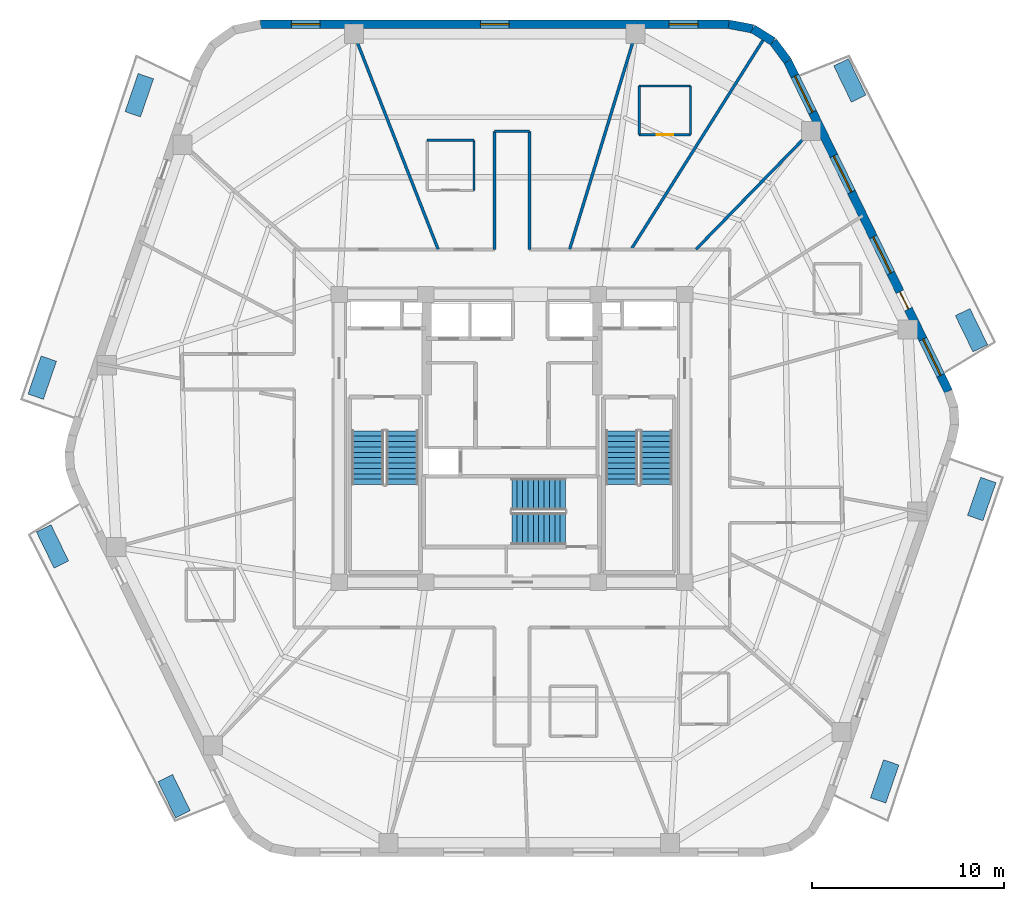
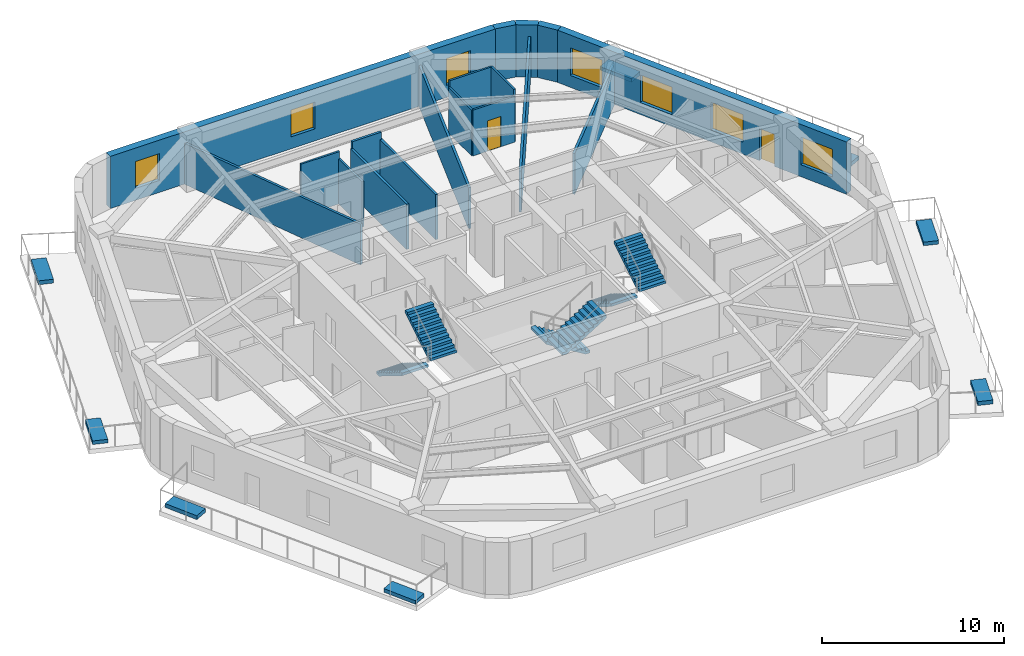
# One storey, part 6 of 9: 18 walls, 8 discrete accessories, 7 windows, 6 stair flights, 2 doors, 9 openings, 3 elements without a shape of their own.
"""IFC4 building model written with IfcOpenShell, lengths in metres."""

import ifcopenshell
import ifcopenshell.guid

model = None  # the IFC model being written
_history = None  # IfcOwnerHistory: only IFC2X3 demands one
_inside = {}  # id of a spatial element -> (the spatial element, [elements in it])
_under = {}  # id of a project, library or spatial element -> (it, [spatial elements below it])
_declared = {}  # id of a project -> (the project, [libraries it declares])
_typed = {}  # id of a type object -> (the type object, [elements of that type])
_made_of = {}  # id of a material, layer set ... -> (it, [elements and type objects made of it])


def new_model(schema):
    """Start an empty IFC model of exactly this schema.

    Asked for "IFC4X3", IfcOpenShell would pick the latest addendum, in which some entities
    have other attributes; the version numbers below select the first issue.
    IFC2X3 requires an IfcOwnerHistory on every rooted entity: one is made here for all.
    """
    global model, _history
    if schema == "IFC4X3":
        model = ifcopenshell.file(schema_version=(4, 3, 0, 0))
    else:
        model = ifcopenshell.file(schema=schema)
    _inside.clear()
    _under.clear()
    _declared.clear()
    _typed.clear()
    _made_of.clear()
    _history = None
    if model.schema == "IFC2X3":
        org = make("IfcOrganization", Name="unknown")
        user = make(
            "IfcPersonAndOrganization",
            ThePerson=make("IfcPerson", FamilyName="unknown"),
            TheOrganization=org,
        )
        app = make(
            "IfcApplication",
            ApplicationDeveloper=org,
            Version="unknown",
            ApplicationFullName="unknown",
            ApplicationIdentifier="unknown",
        )
        _history = make(
            "IfcOwnerHistory",
            OwningUser=user,
            OwningApplication=app,
            ChangeAction="ADDED",
            CreationDate=0,
        )
    return model


def make(cls, **values):
    """One entity of the class cls with the attributes given. An attribute that is None is left unset."""
    return model.create_entity(
        cls, **{name: value for name, value in values.items() if value is not None}
    )


def rooted(cls, **values):
    """An entity with a GlobalId (a new one), such as an element, a storey or a relation."""
    return make(cls, GlobalId=ifcopenshell.guid.new(), OwnerHistory=_history, **values)


def si_unit(unit_type, name, prefix=None):
    """IfcSIUnit, for example si_unit("LENGTHUNIT", "METRE", prefix="MILLI")."""
    return make("IfcSIUnit", UnitType=unit_type, Prefix=prefix, Name=name)


def assignment(units):
    """IfcUnitAssignment: the units of a project."""
    return None if units is None else make("IfcUnitAssignment", Units=units)


def point(xyz):
    """IfcCartesianPoint."""
    return None if xyz is None else make("IfcCartesianPoint", Coordinates=xyz)


def direction(xyz):
    """IfcDirection."""
    return None if xyz is None else make("IfcDirection", DirectionRatios=xyz)


def frame(location, z_axis=None, x_axis=None):
    """IfcAxis2Placement3D, a coordinate frame: its origin and axes. An axis left out is left unset."""
    return make(
        "IfcAxis2Placement3D",
        Location=point(location),
        Axis=direction(z_axis),
        RefDirection=direction(x_axis),
    )


def frame_2d(location, x_axis=None):
    """IfcAxis2Placement2D, a coordinate frame in the plane: its origin and x axis."""
    return make(
        "IfcAxis2Placement2D", Location=point(location), RefDirection=direction(x_axis)
    )


def origin():
    """The frame at (0, 0, 0) with its axes left unset."""
    return frame((0.0, 0.0, 0.0))


def origin_2d():
    """The frame at (0, 0) in the plane with its x axis left unset."""
    return frame_2d((0.0, 0.0))


def place(relative_to, where):
    """IfcLocalPlacement: puts the frame where relative to a parent placement (None: the world)."""
    return make(
        "IfcLocalPlacement", PlacementRelTo=relative_to, RelativePlacement=where
    )


def context(
    kind, dimensions, precision=None, world=None, true_north=None, identifier=None
):
    """IfcGeometricRepresentationContext, for example the 3D "Model" context."""
    return make(
        "IfcGeometricRepresentationContext",
        ContextIdentifier=identifier,
        ContextType=kind,
        CoordinateSpaceDimension=dimensions,
        Precision=precision,
        WorldCoordinateSystem=world,
        TrueNorth=true_north,
    )


def subcontext(parent, identifier, kind, view, scale=None):
    """IfcGeometricRepresentationSubContext, for example "Body" below "Model"."""
    return make(
        "IfcGeometricRepresentationSubContext",
        ContextIdentifier=identifier,
        ContextType=kind,
        ParentContext=parent,
        TargetScale=scale,
        TargetView=view,
    )


def project(units=None, contexts=None):
    """IfcProject with its units and contexts."""
    return rooted(
        "IfcProject",
        Name="project",
        RepresentationContexts=contexts,
        UnitsInContext=assignment(units),
    )


def spatial(cls, under=None, at=None, **own):
    """A site, building, storey or space (cls), placed at a placement, below another one or the project."""
    s = rooted(cls, ObjectPlacement=at, **own)
    if under is not None:
        _under.setdefault(under.id(), (under, []))[1].append(s)
    return s


def polyline(points):
    """IfcPolyline through the points."""
    return make("IfcPolyline", Points=[point(p) for p in points])


def profile(cls, at=None, kind="AREA", **sizes):
    """A parametric profile (cls). Its sizes go by their IFC names, for example OverallWidth=200.0."""
    return make(cls, ProfileType=kind, Position=at, **sizes)


def rectangle(**sizes):
    """IfcRectangleProfileDef."""
    return profile("IfcRectangleProfileDef", **sizes)


def outline(outer, holes=None, kind="AREA"):
    """IfcArbitraryClosedProfileDef: a profile drawn as a closed curve; with holes, ...WithVoids."""
    if holes is None:
        return make("IfcArbitraryClosedProfileDef", ProfileType=kind, OuterCurve=outer)
    return make(
        "IfcArbitraryProfileDefWithVoids",
        ProfileType=kind,
        OuterCurve=outer,
        InnerCurves=holes,
    )


def extrude(swept, where, along, depth):
    """IfcExtrudedAreaSolid: the profile swept, set in the frame where, extruded along a direction by depth."""
    return make(
        "IfcExtrudedAreaSolid",
        SweptArea=swept,
        Position=where,
        ExtrudedDirection=direction(along),
        Depth=depth,
    )


def shape(context_of_items, identifier, shape_type, items):
    """IfcShapeRepresentation: the items that make up one representation, for example the "Body"."""
    return make(
        "IfcShapeRepresentation",
        ContextOfItems=context_of_items,
        RepresentationIdentifier=identifier,
        RepresentationType=shape_type,
        Items=items,
    )


def material(Name=None, Category=None):
    """IfcMaterial."""
    return make("IfcMaterial", Name=Name, Category=Category)


def layer(
    of_material, thickness, ventilated=None, Name=None, Category=None, Priority=None
):
    """IfcMaterialLayer: one layer of a wall or slab, of a material (None: an air gap)."""
    return make(
        "IfcMaterialLayer",
        Material=of_material,
        LayerThickness=thickness,
        IsVentilated=ventilated,
        Name=Name,
        Category=Category,
        Priority=Priority,
    )


def layer_set(layers, Name=None):
    """IfcMaterialLayerSet."""
    return make("IfcMaterialLayerSet", MaterialLayers=layers, LayerSetName=Name)


def made_of(thing, what):
    """Note that an element or type object is made of a material, layer set ...; save() writes the relation."""
    if what is not None:
        _made_of.setdefault(what.id(), (what, []))[1].append(thing)
    return thing


def type_object(cls, material=None, **own):
    """A type object (cls), such as IfcWallType, which elements share."""
    return made_of(rooted(cls, **own), material)


def element(
    cls,
    number,
    at=None,
    inside=None,
    cuts=None,
    type_object=None,
    material=None,
    context=None,
    identifier="Body",
    shape_type=None,
    held_by="IfcProductDefinitionShape",
    body=None,
    shapes=None,
    **own,
):
    """One element of the class cls, such as IfcWall. Its Tag is "e" and its number.

    at: its placement. inside: the storey or other place that contains it. cuts: it is an
    opening in that element (IfcRelVoidsElement). A single representation is given by context,
    identifier, shape_type and body (its items); several are given by shapes. held_by: the class
    of the entity that holds the representations. save() writes the other relations.
    """
    e = rooted(cls, Tag="e%d" % number, ObjectPlacement=at, **own)
    if body is not None:
        shapes = [shape(context, identifier, shape_type, body)]
    if shapes is not None:
        e.Representation = make(held_by, Representations=shapes)
    if inside is not None:
        _inside.setdefault(inside.id(), (inside, []))[1].append(e)
    if cuts is not None:
        rooted(
            "IfcRelVoidsElement", RelatingBuildingElement=cuts, RelatedOpeningElement=e
        )
    if type_object is not None:
        _typed.setdefault(type_object.id(), (type_object, []))[1].append(e)
    return made_of(e, material)


def fill(opening, filler):
    """IfcRelFillsElement: the door or window that sits in an opening."""
    return rooted(
        "IfcRelFillsElement",
        RelatingOpeningElement=opening,
        RelatedBuildingElement=filler,
    )


def aggregate(whole, parts):
    """IfcRelAggregates: a whole, such as a stair, and the parts it consists of."""
    return rooted("IfcRelAggregates", RelatingObject=whole, RelatedObjects=parts)


def save(model, path):
    """Write the relations noted so far, then the file.

    IfcRelAggregates (storeys below a building ...), IfcRelContainedInSpatialStructure (elements
    in a storey), IfcRelDefinesByType, IfcRelAssociatesMaterial and IfcRelDeclares: one each for
    every whole, place, type object, material and project.
    """
    for whole, parts in _under.values():
        aggregate(whole, parts)
    for where, things in _inside.values():
        rooted(
            "IfcRelContainedInSpatialStructure",
            RelatedElements=things,
            RelatingStructure=where,
        )
    for kind, things in _typed.values():
        rooted("IfcRelDefinesByType", RelatedObjects=things, RelatingType=kind)
    for what, things in _made_of.values():
        rooted("IfcRelAssociatesMaterial", RelatedObjects=things, RelatingMaterial=what)
    for by, libraries in _declared.values():
        rooted("IfcRelDeclares", RelatingContext=by, RelatedDefinitions=libraries)
    model.write(path)


model = new_model("IFC4")

# Units and contexts
model_context = context("Model", 3, precision=1e-05, world=origin(), true_north=direction((0.0, 1.0)))
body_context = subcontext(model_context, "Body", "Model", "MODEL_VIEW")
ifc_project = project(units=[si_unit("LENGTHUNIT", "METRE"), si_unit("AREAUNIT", "SQUARE_METRE"), si_unit("VOLUMEUNIT", "CUBIC_METRE"), si_unit("PLANEANGLEUNIT", "RADIAN"), si_unit("MASSUNIT", "GRAM", prefix="KILO")], contexts=[model_context])

# Site, building, storey
site_placement = place(None, origin())
site = spatial("IfcSite", under=ifc_project, at=site_placement, CompositionType="ELEMENT")
building_placement = place(site_placement, origin())
building = spatial("IfcBuilding", under=site, at=building_placement, Name="Kilnhurst Terrace Hotel", CompositionType="ELEMENT")
storey_placement = place(building_placement, frame((0.0, 0.0, 233.10009765625)))
storey = spatial("IfcBuildingStorey", under=building, at=storey_placement, Name="L58", CompositionType="ELEMENT", Elevation=233.10009765625)

# Walls
ifc_material_1 = material(Name="Precast concrete C40/50", Category="concrete")
ifc_layer_1 = layer(ifc_material_1, 0.449951171875, Name="Precast concrete C40/50")
ifc_layer_set_1 = layer_set([ifc_layer_1], Name="Precast concrete C40/50")
wall_type_1 = type_object("IfcWallType", Name="WL-BRK-450", PredefinedType="SOLIDWALL", material=ifc_layer_set_1)
wall_1_placement = place(storey_placement, frame((14.3623046875, 19.658447265625, 0.0), z_axis=(0.0, 0.0, 1.0), x_axis=(-0.596642462792, 0.80250717853, 0.0)))
element("IfcWall", 1, at=wall_1_placement, inside=storey, type_object=wall_type_1, Name="L58 Rounded Corner Brick Wall C4.1", PredefinedType="SOLIDWALL", context=body_context, shape_type="SweptSolid", body=[
    extrude(rectangle(XDim=1.27001953125, YDim=0.449951171875, at=frame_2d((0.635009765625, 0.0))), origin(), (0.0, 0.0, 1.0), 3.5),
])
wall_2_placement = place(storey_placement, frame((13.6044921875, 20.677734375, 0.0), z_axis=(0.0, 0.0, 1.0), x_axis=(-0.847910404124, 0.53013955387, 0.0)))
element("IfcWall", 2, at=wall_2_placement, inside=storey, type_object=wall_type_1, Name="L58 Rounded Corner Brick Wall C4.2", PredefinedType="SOLIDWALL", context=body_context, shape_type="SweptSolid", body=[
    extrude(rectangle(XDim=1.24853515625, YDim=0.449951171875, at=frame_2d((0.624267578125, 0.0))), origin(), (0.0, 0.0, 1.0), 3.5),
])
wall_3_placement = place(storey_placement, frame((12.5458984375, 21.339599609375, 0.0), z_axis=(0.0, 0.0, 1.0), x_axis=(-0.982686750835, 0.18527479519, 0.0)))
element("IfcWall", 3, at=wall_3_placement, inside=storey, type_object=wall_type_1, Name="L58 Rounded Corner Brick Wall C4.3", PredefinedType="SOLIDWALL", context=body_context, shape_type="SweptSolid", body=[
    extrude(rectangle(XDim=1.270263671875, YDim=0.449951171875, at=frame_2d((0.63525390625, 0.0))), origin(), (0.0, 0.0, 1.0), 3.5),
])

# Wall, openings, door, windows
wall_4_placement = place(storey_placement, frame((22.73974609375, 2.4521484375, 0.0), z_axis=(0.0, 0.0, 1.0), x_axis=(-0.437753424814, 0.899095066755, 0.0)))
wall_4 = element("IfcWall", 4, at=wall_4_placement, inside=storey, type_object=wall_type_1, Name="L58 Exterior Brick Facade Wall F3", PredefinedType="SOLIDWALL", context=body_context, shape_type="SweptSolid", body=[
    extrude(rectangle(XDim=19.137451171875, YDim=0.449951171875, at=frame_2d((9.56884765625, 0.0))), origin(), (0.0, 0.0, 1.0), 3.5),
])
opening_1_placement = place(wall_4_placement, frame((4.762939453125, 0.0, 0.0)))
opening_1 = element("IfcOpeningElement", 5, at=opening_1_placement, cuts=wall_4, Name="Opening BD-1000", PredefinedType="OPENING", context=body_context, shape_type="SweptSolid", body=[
    extrude(rectangle(XDim=1.0, YDim=2.14990234375, at=frame_2d((0.5, 1.074951171875))), frame((0.0, 0.23486328125, 0.0), z_axis=(0.0, -1.0, 0.0), x_axis=(1.0, 0.0, 0.0)), (0.0, 0.0, 1.0), 0.469970703125),
])
opening_2_placement = place(wall_4_placement, frame((6.85107421875, 0.0, 0.800048828125)))
opening_2 = element("IfcOpeningElement", 6, at=opening_2_placement, cuts=wall_4, Name="Opening W-04", PredefinedType="OPENING", context=body_context, shape_type="SweptSolid", body=[
    extrude(rectangle(XDim=2.10009765625, YDim=1.85009765625, at=frame_2d((1.050048828125, 0.925048828125))), frame((0.0, 0.23486328125, 0.0), z_axis=(0.0, -1.0, 0.0), x_axis=(1.0, 0.0, 0.0)), (0.0, 0.0, 1.0), 0.469970703125),
])
opening_3_placement = place(wall_4_placement, frame((11.544921875, 0.0, 0.800048828125)))
opening_3 = element("IfcOpeningElement", 7, at=opening_3_placement, cuts=wall_4, Name="Opening W-04", PredefinedType="OPENING", context=body_context, shape_type="SweptSolid", body=[
    extrude(rectangle(XDim=2.10009765625, YDim=1.85009765625, at=frame_2d((1.050048828125, 0.925048828125))), frame((0.0, 0.23486328125, 0.0), z_axis=(0.0, -1.0, 0.0), x_axis=(1.0, 0.0, 0.0)), (0.0, 0.0, 1.0), 0.469970703125),
])
opening_4_placement = place(wall_4_placement, frame((16.173095703125, 0.0, 0.800048828125)))
opening_4 = element("IfcOpeningElement", 8, at=opening_4_placement, cuts=wall_4, Name="Opening W-04", PredefinedType="OPENING", context=body_context, shape_type="SweptSolid", body=[
    extrude(rectangle(XDim=2.10009765625, YDim=1.85009765625, at=frame_2d((1.050048828125, 0.925048828125))), frame((0.0, 0.23486328125, 0.0), z_axis=(0.0, -1.0, 0.0), x_axis=(1.0, 0.0, 0.0)), (0.0, 0.0, 1.0), 0.469970703125),
])
opening_5_placement = place(wall_4_placement, frame((0.916015625, 0.0, 0.800048828125)))
opening_5 = element("IfcOpeningElement", 9, at=opening_5_placement, cuts=wall_4, Name="Opening W-04", PredefinedType="OPENING", context=body_context, shape_type="SweptSolid", body=[
    extrude(rectangle(XDim=2.10009765625, YDim=1.85009765625, at=frame_2d((1.050048828125, 0.925048828125))), frame((0.0, 0.23486328125, 0.0), z_axis=(0.0, -1.0, 0.0), x_axis=(1.0, 0.0, 0.0)), (0.0, 0.0, 1.0), 0.469970703125),
])
ifc_material_2 = material(Name="Thermally Broken Bronze Aluminium Alloy 6063-T6 and Laminated Glass", Category="aluminium")
door_type_1 = type_object("IfcDoorType", Name="DR-EXT-BAL-1000", OperationType="NOTDEFINED", PredefinedType="DOOR", material=ifc_material_2)
door_1_placement = place(opening_1_placement, origin())
door_1 = element("IfcDoor", 10, at=door_1_placement, inside=storey, type_object=door_type_1, Name="L58 Planted Balcony Door BAL-L1B", OperationType="SINGLE_SWING_LEFT", OverallHeight=2.14990234375, OverallWidth=1.0, PredefinedType="DOOR", context=body_context, shape_type="SweptSolid", body=[
    extrude(rectangle(XDim=1.0, YDim=2.14990234375, at=frame_2d((0.5, 1.074951171875))), frame((0.0, 0.02490234375, 0.0), z_axis=(0.0, -1.0, 0.0), x_axis=(1.0, 0.0, 0.0)), (0.0, 0.0, 1.0), 0.050048828125),
])
fill(opening_1, door_1)
ifc_material_3 = material(Name="Thermally Broken Bronze Aluminium Alloy 6063-T6 and Low-E Glass", Category="aluminium")
window_type_1 = type_object("IfcWindowType", Name="WIN-2100X1850", PartitioningType="SINGLE_PANEL", PredefinedType="WINDOW", material=ifc_material_3)
window_1_placement = place(opening_2_placement, origin())
window_1 = element("IfcWindow", 11, at=window_1_placement, inside=storey, type_object=window_type_1, Name="L58 Deep-Set Masonry Window F3.1", OverallHeight=1.85009765625, OverallWidth=2.10009765625, PartitioningType="SINGLE_PANEL", PredefinedType="WINDOW", context=body_context, shape_type="SweptSolid", body=[
    extrude(rectangle(XDim=2.10009765625, YDim=1.85009765625, at=frame_2d((1.050048828125, 0.925048828125))), frame((0.0, 0.030029296875, 0.0), z_axis=(0.0, -1.0, 0.0), x_axis=(1.0, 0.0, 0.0)), (0.0, 0.0, 1.0), 0.06005859375),
])
fill(opening_2, window_1)
window_2_placement = place(opening_3_placement, origin())
window_2 = element("IfcWindow", 12, at=window_2_placement, inside=storey, type_object=window_type_1, Name="L58 Deep-Set Masonry Window F3.2", OverallHeight=1.85009765625, OverallWidth=2.10009765625, PartitioningType="SINGLE_PANEL", PredefinedType="WINDOW", context=body_context, shape_type="SweptSolid", body=[
    extrude(rectangle(XDim=2.10009765625, YDim=1.85009765625, at=frame_2d((1.050048828125, 0.925048828125))), frame((0.0, 0.030029296875, 0.0), z_axis=(0.0, -1.0, 0.0), x_axis=(1.0, 0.0, 0.0)), (0.0, 0.0, 1.0), 0.06005859375),
])
fill(opening_3, window_2)
window_3_placement = place(opening_4_placement, origin())
window_3 = element("IfcWindow", 13, at=window_3_placement, inside=storey, type_object=window_type_1, Name="L58 Deep-Set Masonry Window F3.3", OverallHeight=1.85009765625, OverallWidth=2.10009765625, PartitioningType="SINGLE_PANEL", PredefinedType="WINDOW", context=body_context, shape_type="SweptSolid", body=[
    extrude(rectangle(XDim=2.10009765625, YDim=1.85009765625, at=frame_2d((1.050048828125, 0.925048828125))), frame((0.0, 0.030029296875, 0.0), z_axis=(0.0, -1.0, 0.0), x_axis=(1.0, 0.0, 0.0)), (0.0, 0.0, 1.0), 0.06005859375),
])
fill(opening_4, window_3)
window_4_placement = place(opening_5_placement, origin())
window_4 = element("IfcWindow", 14, at=window_4_placement, inside=storey, type_object=window_type_1, Name="L58 Deep-Set Masonry Window F3.4", OverallHeight=1.85009765625, OverallWidth=2.10009765625, PartitioningType="SINGLE_PANEL", PredefinedType="WINDOW", context=body_context, shape_type="SweptSolid", body=[
    extrude(rectangle(XDim=2.10009765625, YDim=1.85009765625, at=frame_2d((1.050048828125, 0.925048828125))), frame((0.0, 0.030029296875, 0.0), z_axis=(0.0, -1.0, 0.0), x_axis=(1.0, 0.0, 0.0)), (0.0, 0.0, 1.0), 0.06005859375),
])
fill(opening_5, window_4)

# Wall, openings, windows
wall_5_placement = place(storey_placement, frame((11.297607421875, 21.574951171875, 0.0), z_axis=(0.0, 0.0, 1.0), x_axis=(-1.0, 0.0, 0.0)))
wall_5 = element("IfcWall", 15, at=wall_5_placement, inside=storey, type_object=wall_type_1, Name="L58 Exterior Brick Facade Wall F4", PredefinedType="SOLIDWALL", context=body_context, shape_type="SweptSolid", body=[
    extrude(rectangle(XDim=24.399169921875, YDim=0.449951171875, at=frame_2d((12.19970703125, 0.0))), origin(), (0.0, 0.0, 1.0), 3.5),
])
opening_6_placement = place(wall_5_placement, frame((1.60400390625, 0.0, 0.800048828125)))
opening_6 = element("IfcOpeningElement", 16, at=opening_6_placement, cuts=wall_5, Name="Opening W-02", PredefinedType="OPENING", context=body_context, shape_type="SweptSolid", body=[
    extrude(rectangle(XDim=1.5, YDim=1.800048828125, at=frame_2d((0.75, 0.89990234375))), frame((0.0, 0.23486328125, 0.0), z_axis=(0.0, -1.0, 0.0), x_axis=(1.0, 0.0, 0.0)), (0.0, 0.0, 1.0), 0.469970703125),
])
opening_7_placement = place(wall_5_placement, frame((11.450927734375, 0.0, 0.800048828125)))
opening_7 = element("IfcOpeningElement", 17, at=opening_7_placement, cuts=wall_5, Name="Opening W-02", PredefinedType="OPENING", context=body_context, shape_type="SweptSolid", body=[
    extrude(rectangle(XDim=1.5, YDim=1.800048828125, at=frame_2d((0.75, 0.89990234375))), frame((0.0, 0.23486328125, 0.0), z_axis=(0.0, -1.0, 0.0), x_axis=(1.0, 0.0, 0.0)), (0.0, 0.0, 1.0), 0.469970703125),
])
opening_8_placement = place(wall_5_placement, frame((21.2958984375, 0.0, 0.800048828125)))
opening_8 = element("IfcOpeningElement", 18, at=opening_8_placement, cuts=wall_5, Name="Opening W-02", PredefinedType="OPENING", context=body_context, shape_type="SweptSolid", body=[
    extrude(rectangle(XDim=1.5, YDim=1.800048828125, at=frame_2d((0.75, 0.89990234375))), frame((0.0, 0.23486328125, 0.0), z_axis=(0.0, -1.0, 0.0), x_axis=(1.0, 0.0, 0.0)), (0.0, 0.0, 1.0), 0.469970703125),
])
window_type_2 = type_object("IfcWindowType", Name="WIN-1500X1800", PartitioningType="SINGLE_PANEL", PredefinedType="WINDOW", material=ifc_material_3)
window_5_placement = place(opening_6_placement, origin())
window_5 = element("IfcWindow", 19, at=window_5_placement, inside=storey, type_object=window_type_2, Name="L58 Deep-Set Masonry Window F4.1", OverallHeight=1.800048828125, OverallWidth=1.5, PartitioningType="SINGLE_PANEL", PredefinedType="WINDOW", context=body_context, shape_type="SweptSolid", body=[
    extrude(rectangle(XDim=1.5, YDim=1.800048828125, at=frame_2d((0.75, 0.89990234375))), frame((0.0, 0.030029296875, 0.0), z_axis=(0.0, -1.0, 0.0), x_axis=(1.0, 0.0, 0.0)), (0.0, 0.0, 1.0), 0.06005859375),
])
fill(opening_6, window_5)
window_6_placement = place(opening_7_placement, origin())
window_6 = element("IfcWindow", 20, at=window_6_placement, inside=storey, type_object=window_type_2, Name="L58 Deep-Set Masonry Window F4.2", OverallHeight=1.800048828125, OverallWidth=1.5, PartitioningType="SINGLE_PANEL", PredefinedType="WINDOW", context=body_context, shape_type="SweptSolid", body=[
    extrude(rectangle(XDim=1.5, YDim=1.800048828125, at=frame_2d((0.75, 0.89990234375))), frame((0.0, 0.030029296875, 0.0), z_axis=(0.0, -1.0, 0.0), x_axis=(1.0, 0.0, 0.0)), (0.0, 0.0, 1.0), 0.06005859375),
])
fill(opening_7, window_6)
window_7_placement = place(opening_8_placement, origin())
window_7 = element("IfcWindow", 21, at=window_7_placement, inside=storey, type_object=window_type_2, Name="L58 Deep-Set Masonry Window F4.3", OverallHeight=1.800048828125, OverallWidth=1.5, PartitioningType="SINGLE_PANEL", PredefinedType="WINDOW", context=body_context, shape_type="SweptSolid", body=[
    extrude(rectangle(XDim=1.5, YDim=1.800048828125, at=frame_2d((0.75, 0.89990234375))), frame((0.0, 0.030029296875, 0.0), z_axis=(0.0, -1.0, 0.0), x_axis=(1.0, 0.0, 0.0)), (0.0, 0.0, 1.0), 0.06005859375),
])
fill(opening_8, window_7)

# Walls
ifc_material_4 = material(Name="Acoustic Double-Gypsum Corridor Partition Assembly")
ifc_layer_2 = layer(ifc_material_4, 0.14990234375, Name="Acoustic Double-Gypsum Corridor Partition Assembly")
ifc_layer_set_2 = layer_set([ifc_layer_2], Name="Acoustic Double-Gypsum Corridor Partition Assembly")
wall_type_2 = type_object("IfcWallType", Name="WL-COR-150", PredefinedType="PARTITIONING", material=ifc_layer_set_2)
wall_6_placement = place(storey_placement, frame((-0.919921875, 9.85009765625, 0.0), z_axis=(0.0, 0.0, 1.0), x_axis=(0.0, 1.0, 0.0)))
element("IfcWall", 22, at=wall_6_placement, inside=storey, type_object=wall_type_2, Name="L58 Interior Wall WL-L58-COR-07", PredefinedType="PARTITIONING", context=body_context, shape_type="SweptSolid", body=[
    extrude(rectangle(XDim=6.14990234375, YDim=0.14990234375, at=frame_2d((3.074951171875, 0.0))), origin(), (0.0, 0.0, 1.0), 3.0263671875),
])
wall_7_placement = place(storey_placement, frame((-0.919921875, 16.0, 0.0), z_axis=(0.0, 0.0, 1.0), x_axis=(1.0, 0.0, 0.0)))
element("IfcWall", 23, at=wall_7_placement, inside=storey, type_object=wall_type_2, Name="L58 Interior Wall WL-L58-COR-08", PredefinedType="PARTITIONING", context=body_context, shape_type="SweptSolid", body=[
    extrude(rectangle(XDim=1.83984375, YDim=0.14990234375, at=frame_2d((0.919921875, 0.0))), origin(), (0.0, 0.0, 1.0), 3.5),
])
wall_8_placement = place(storey_placement, frame((0.919921875, 16.0, 0.0), z_axis=(0.0, 0.0, 1.0), x_axis=(0.0, -1.0, 0.0)))
element("IfcWall", 24, at=wall_8_placement, inside=storey, type_object=wall_type_2, Name="L58 Interior Wall WL-L58-COR-09", PredefinedType="PARTITIONING", context=body_context, shape_type="SweptSolid", body=[
    extrude(rectangle(XDim=6.14990234375, YDim=0.14990234375, at=frame_2d((3.074951171875, 0.0))), origin(), (0.0, 0.0, 1.0), 3.0263671875),
])
ifc_material_5 = material(Name="STC-58 Acoustic Twin-Frame Guestroom Demising Partition")
ifc_layer_3 = layer(ifc_material_5, 0.14990234375, Name="STC-58 Acoustic Twin-Frame Guestroom Demising Partition")
ifc_layer_set_3 = layer_set([ifc_layer_3], Name="STC-58 Acoustic Twin-Frame Guestroom Demising Partition")
wall_type_3 = type_object("IfcWallType", Name="WL-DEM-150", PredefinedType="PARTITIONING", material=ifc_layer_set_3)
wall_9_placement = place(storey_placement, frame((9.587890625, 9.85009765625, 0.0), z_axis=(0.0, 0.0, 1.0), x_axis=(0.697519469595, 0.716565830567, 0.0)))
element("IfcWall", 25, at=wall_9_placement, inside=storey, type_object=wall_type_3, Name="L58 Interior Wall WL-L58-DEM-COL02-03-1", PredefinedType="PARTITIONING", context=body_context, shape_type="SweptSolid", body=[
    extrude(rectangle(XDim=9.12646484375, YDim=0.14990234375, at=frame_2d((4.563232421875, 0.0))), origin(), (0.0, 0.0, 1.0), 2.739990234375),
])
wall_10_placement = place(storey_placement, frame((6.21044921875, 9.85009765625, 0.0), z_axis=(0.0, 0.0, 1.0), x_axis=(0.533335553786, 0.84590376939, 0.0)))
element("IfcWall", 26, at=wall_10_placement, inside=storey, type_object=wall_type_3, Name="L58 Interior Wall WL-L58-DEM-MID02-04-1", PredefinedType="PARTITIONING", context=body_context, shape_type="SweptSolid", body=[
    extrude(rectangle(XDim=12.94091796875, YDim=0.14990234375, at=frame_2d((6.470458984375, 0.0))), origin(), (0.0, 0.0, 1.0), 2.739990234375),
])
wall_11_placement = place(storey_placement, frame((3.00439453125, 9.85009765625, 0.0), z_axis=(0.0, 0.0, 1.0), x_axis=(0.291775760688, 0.956486751333, 0.0)))
element("IfcWall", 27, at=wall_11_placement, inside=storey, type_object=wall_type_3, Name="L58 Interior Wall WL-L58-DEM-COL03-05-1", PredefinedType="PARTITIONING", context=body_context, shape_type="SweptSolid", body=[
    extrude(rectangle(XDim=12.25830078125, YDim=0.14990234375, at=frame_2d((6.129150390625, 0.0))), origin(), (0.0, 0.0, 1.0), 2.739990234375),
])
wall_12_placement = place(storey_placement, frame((-3.848388671875, 9.85009765625, 0.0), z_axis=(0.0, 0.0, 1.0), x_axis=(-0.363921778212, 0.931429513889, 0.0)))
element("IfcWall", 28, at=wall_12_placement, inside=storey, type_object=wall_type_3, Name="L58 Interior Wall WL-L58-DEM-COL04-06-1", PredefinedType="PARTITIONING", context=body_context, shape_type="SweptSolid", body=[
    extrude(rectangle(XDim=12.588134765625, YDim=0.14990234375, at=frame_2d((6.2939453125, 0.0))), origin(), (0.0, 0.0, 1.0), 2.739990234375),
])

# Wall, opening, door
ifc_material_6 = material(Name="120 mm Moisture-Resistant Tile-Backed Bathroom Partition")
ifc_layer_4 = layer(ifc_material_6, 0.1201171875, Name="120 mm Moisture-Resistant Tile-Backed Bathroom Partition")
ifc_layer_set_4 = layer_set([ifc_layer_4], Name="120 mm Moisture-Resistant Tile-Backed Bathroom Partition")
wall_type_4 = type_object("IfcWallType", Name="WL-PART-120", PredefinedType="PARTITIONING", material=ifc_layer_set_4)
wall_13_placement = place(storey_placement, frame((6.626953125, 15.824951171875, 0.0), z_axis=(0.0, 0.0, 1.0), x_axis=(1.0, 0.0, 0.0)))
wall_13 = element("IfcWall", 29, at=wall_13_placement, inside=storey, type_object=wall_type_4, Name="L58 Interior Wall WL-L58-BTH-04-1", PredefinedType="PARTITIONING", context=body_context, shape_type="SweptSolid", body=[
    extrude(rectangle(XDim=2.679931640625, YDim=0.1201171875, at=frame_2d((1.33984375, 0.0))), origin(), (0.0, 0.0, 1.0), 3.072265625),
])
opening_9_placement = place(wall_13_placement, frame((0.9150390625, 0.0, 0.0)))
opening_9 = element("IfcOpeningElement", 30, at=opening_9_placement, cuts=wall_13, Name="Opening D-08A", PredefinedType="OPENING", context=body_context, shape_type="SweptSolid", body=[
    extrude(rectangle(XDim=0.85009765625, YDim=2.030029296875, at=frame_2d((0.425048828125, 1.01513671875))), frame((0.0, 0.070068359375, 0.0), z_axis=(0.0, -1.0, 0.0), x_axis=(1.0, 0.0, 0.0)), (0.0, 0.0, 1.0), 0.14013671875),
])
ifc_material_7 = material(Name="Moisture-Resistant Lacquered En-suite Bathroom Door")
door_type_2 = type_object("IfcDoorType", Name="DR-INT-850", OperationType="NOTDEFINED", PredefinedType="DOOR", material=ifc_material_7)
door_2_placement = place(opening_9_placement, origin())
door_2 = element("IfcDoor", 31, at=door_2_placement, inside=storey, type_object=door_type_2, Name="L58 En-suite Bathroom Door 4", OperationType="SINGLE_SWING_LEFT", OverallHeight=2.030029296875, OverallWidth=0.85009765625, PredefinedType="DOOR", context=body_context, shape_type="SweptSolid", body=[
    extrude(rectangle(XDim=0.85009765625, YDim=2.030029296875, at=frame_2d((0.425048828125, 1.01513671875))), frame((0.0, 0.02490234375, 0.0), z_axis=(0.0, -1.0, 0.0), x_axis=(1.0, 0.0, 0.0)), (0.0, 0.0, 1.0), 0.050048828125),
])
fill(opening_9, door_2)

# Walls
wall_14_placement = place(storey_placement, frame((9.306884765625, 15.824951171875, 0.0), z_axis=(0.0, 0.0, 1.0), x_axis=(0.0, 1.0, 0.0)))
element("IfcWall", 32, at=wall_14_placement, inside=storey, type_object=wall_type_4, Name="L58 Interior Wall WL-L58-BTH-04-2", PredefinedType="PARTITIONING", context=body_context, shape_type="SweptSolid", body=[
    extrude(rectangle(XDim=2.5400390625, YDim=0.1201171875, at=frame_2d((1.27001953125, 0.0))), origin(), (0.0, 0.0, 1.0), 3.5),
])
wall_15_placement = place(storey_placement, frame((9.306884765625, 18.364990234375, 0.0), z_axis=(0.0, 0.0, 1.0), x_axis=(-1.0, 0.0, 0.0)))
element("IfcWall", 33, at=wall_15_placement, inside=storey, type_object=wall_type_4, Name="L58 Interior Wall WL-L58-BTH-04-3", PredefinedType="PARTITIONING", context=body_context, shape_type="SweptSolid", body=[
    extrude(rectangle(XDim=2.679931640625, YDim=0.1201171875, at=frame_2d((1.33984375, 0.0))), origin(), (0.0, 0.0, 1.0), 3.5),
])
wall_16_placement = place(storey_placement, frame((6.626953125, 18.364990234375, 0.0), z_axis=(0.0, 0.0, 1.0), x_axis=(0.0, -1.0, 0.0)))
element("IfcWall", 34, at=wall_16_placement, inside=storey, type_object=wall_type_4, Name="L58 Interior Wall WL-L58-BTH-04-4", PredefinedType="PARTITIONING", context=body_context, shape_type="SweptSolid", body=[
    extrude(rectangle(XDim=2.5400390625, YDim=0.1201171875, at=frame_2d((1.27001953125, 0.0))), origin(), (0.0, 0.0, 1.0), 3.072265625),
])
wall_17_placement = place(storey_placement, frame((-1.97802734375, 12.919921875, 0.0), z_axis=(0.0, 0.0, 1.0), x_axis=(0.0, 1.0, 0.0)))
element("IfcWall", 35, at=wall_17_placement, inside=storey, type_object=wall_type_4, Name="L58 Interior Wall WL-L58-BTH-05-2", PredefinedType="PARTITIONING", context=body_context, shape_type="SweptSolid", body=[
    extrude(rectangle(XDim=2.610107421875, YDim=0.1201171875, at=frame_2d((1.30517578125, 0.0))), origin(), (0.0, 0.0, 1.0), 3.0263671875),
])
wall_18_placement = place(storey_placement, frame((-1.97802734375, 15.530029296875, 0.0), z_axis=(0.0, 0.0, 1.0), x_axis=(-1.0, 0.0, 0.0)))
element("IfcWall", 36, at=wall_18_placement, inside=storey, type_object=wall_type_4, Name="L58 Interior Wall WL-L58-BTH-05-3", PredefinedType="PARTITIONING", context=body_context, shape_type="SweptSolid", body=[
    extrude(rectangle(XDim=2.43994140625, YDim=0.1201171875, at=frame_2d((1.219970703125, 0.0))), origin(), (0.0, 0.0, 1.0), 3.5),
])

# Stair, stair flights
ifc_material_8 = material(Name="Concrete C50/60", Category="concrete")
stair_type = type_object("IfcStairType", Name="STR-CORE-1660", PredefinedType="HALF_TURN_STAIR", material=ifc_material_8)
stair_1_placement = place(storey_placement, origin())
stair_1 = element("IfcStair", 37, at=stair_1_placement, inside=storey, type_object=stair_type, Name="L58 ST-1", PredefinedType="HALF_TURN_STAIR")
stair_flight_type = type_object("IfcStairFlightType", Name="FLT-RC-1660", PredefinedType="STRAIGHT", material=ifc_material_8)
stair_flight_1_placement = place(storey_placement, frame((-7.52001953125, 0.389892578125, 0.0), z_axis=(0.0, 0.0, 1.0), x_axis=(0.0, -1.0, 0.0)))
stair_flight_1 = element("IfcStairFlight", 38, at=stair_flight_1_placement, type_object=stair_flight_type, Name="ST-1 flight 1", NumberOfRisers=11, NumberOfTreads=10, PredefinedType="STRAIGHT", RiserHeight=0.172727273, TreadLength=0.28, context=body_context, shape_type="SweptSolid", body=[
    extrude(outline(polyline([(0.0, 0.0), (0.0, 0.172607421875), (0.280029296875, 0.172607421875), (0.280029296875, 0.345458984375), (0.56005859375, 0.345458984375), (0.56005859375, 0.51806640625), (0.840087890625, 0.51806640625), (0.840087890625, 0.69091796875), (1.1201171875, 0.69091796875), (1.1201171875, 0.863525390625), (1.39990234375, 0.863525390625), (1.39990234375, 1.036376953125), (1.679931640625, 1.036376953125), (1.679931640625, 1.208984375), (1.9599609375, 1.208984375), (1.9599609375, 1.3818359375), (2.239990234375, 1.3818359375), (2.239990234375, 1.554443359375), (2.52001953125, 1.554443359375), (2.52001953125, 1.727294921875), (2.800048828125, 1.727294921875), (2.800048828125, 1.89990234375), (2.800048828125, 1.551025390625), (0.285400390625, 0.0), (0.0, 0.0)])), frame((0.0, 0.830078125, 0.0), z_axis=(0.0, -1.0, 0.0), x_axis=(1.0, 0.0, 0.0)), (0.0, 0.0, 1.0), 1.659912109375),
])
stair_flight_2_placement = place(storey_placement, frame((-5.7099609375, -2.409912109375, 1.89990234375), z_axis=(0.0, 0.0, 1.0), x_axis=(0.0, 1.0, 0.0)))
stair_flight_2 = element("IfcStairFlight", 39, at=stair_flight_2_placement, type_object=stair_flight_type, Name="ST-1 flight 2", NumberOfRisers=11, NumberOfTreads=10, PredefinedType="STRAIGHT", RiserHeight=0.172727273, TreadLength=0.28, context=body_context, shape_type="SweptSolid", body=[
    extrude(outline(polyline([(0.0, 0.0), (0.0, 0.172607421875), (0.280029296875, 0.172607421875), (0.280029296875, 0.345458984375), (0.56005859375, 0.345458984375), (0.56005859375, 0.51806640625), (0.840087890625, 0.51806640625), (0.840087890625, 0.69091796875), (1.1201171875, 0.69091796875), (1.1201171875, 0.863525390625), (1.39990234375, 0.863525390625), (1.39990234375, 1.036376953125), (1.679931640625, 1.036376953125), (1.679931640625, 1.208984375), (1.9599609375, 1.208984375), (1.9599609375, 1.3818359375), (2.239990234375, 1.3818359375), (2.239990234375, 1.554443359375), (2.52001953125, 1.554443359375), (2.52001953125, 1.727294921875), (2.800048828125, 1.727294921875), (2.800048828125, 1.89990234375), (2.800048828125, 1.551025390625), (0.285400390625, 0.0), (0.0, 0.0)])), frame((0.0, 0.830078125, 0.0), z_axis=(0.0, -1.0, 0.0), x_axis=(1.0, 0.0, 0.0)), (0.0, 0.0, 1.0), 1.659912109375),
])
aggregate(stair_1, [stair_flight_1, stair_flight_2])

stair_2_placement = place(storey_placement, origin())
stair_2 = element("IfcStair", 40, at=stair_2_placement, inside=storey, type_object=stair_type, Name="L58 ST-2", PredefinedType="HALF_TURN_STAIR")
stair_flight_3_placement = place(storey_placement, frame((5.7099609375, 0.389892578125, 0.0), z_axis=(0.0, 0.0, 1.0), x_axis=(0.0, -1.0, 0.0)))
stair_flight_3 = element("IfcStairFlight", 41, at=stair_flight_3_placement, type_object=stair_flight_type, Name="ST-2 flight 1", NumberOfRisers=11, NumberOfTreads=10, PredefinedType="STRAIGHT", RiserHeight=0.172727273, TreadLength=0.28, context=body_context, shape_type="SweptSolid", body=[
    extrude(outline(polyline([(0.0, 0.0), (0.0, 0.172607421875), (0.280029296875, 0.172607421875), (0.280029296875, 0.345458984375), (0.56005859375, 0.345458984375), (0.56005859375, 0.51806640625), (0.840087890625, 0.51806640625), (0.840087890625, 0.69091796875), (1.1201171875, 0.69091796875), (1.1201171875, 0.863525390625), (1.39990234375, 0.863525390625), (1.39990234375, 1.036376953125), (1.679931640625, 1.036376953125), (1.679931640625, 1.208984375), (1.9599609375, 1.208984375), (1.9599609375, 1.3818359375), (2.239990234375, 1.3818359375), (2.239990234375, 1.554443359375), (2.52001953125, 1.554443359375), (2.52001953125, 1.727294921875), (2.800048828125, 1.727294921875), (2.800048828125, 1.89990234375), (2.800048828125, 1.551025390625), (0.285400390625, 0.0), (0.0, 0.0)])), frame((0.0, 0.830078125, 0.0), z_axis=(0.0, -1.0, 0.0), x_axis=(1.0, 0.0, 0.0)), (0.0, 0.0, 1.0), 1.659912109375),
])
stair_flight_4_placement = place(storey_placement, frame((7.52001953125, -2.409912109375, 1.89990234375), z_axis=(0.0, 0.0, 1.0), x_axis=(0.0, 1.0, 0.0)))
stair_flight_4 = element("IfcStairFlight", 42, at=stair_flight_4_placement, type_object=stair_flight_type, Name="ST-2 flight 2", NumberOfRisers=11, NumberOfTreads=10, PredefinedType="STRAIGHT", RiserHeight=0.172727273, TreadLength=0.28, context=body_context, shape_type="SweptSolid", body=[
    extrude(outline(polyline([(0.0, 0.0), (0.0, 0.172607421875), (0.280029296875, 0.172607421875), (0.280029296875, 0.345458984375), (0.56005859375, 0.345458984375), (0.56005859375, 0.51806640625), (0.840087890625, 0.51806640625), (0.840087890625, 0.69091796875), (1.1201171875, 0.69091796875), (1.1201171875, 0.863525390625), (1.39990234375, 0.863525390625), (1.39990234375, 1.036376953125), (1.679931640625, 1.036376953125), (1.679931640625, 1.208984375), (1.9599609375, 1.208984375), (1.9599609375, 1.3818359375), (2.239990234375, 1.3818359375), (2.239990234375, 1.554443359375), (2.52001953125, 1.554443359375), (2.52001953125, 1.727294921875), (2.800048828125, 1.727294921875), (2.800048828125, 1.89990234375), (2.800048828125, 1.551025390625), (0.285400390625, 0.0), (0.0, 0.0)])), frame((0.0, 0.830078125, 0.0), z_axis=(0.0, -1.0, 0.0), x_axis=(1.0, 0.0, 0.0)), (0.0, 0.0, 1.0), 1.659912109375),
])
aggregate(stair_2, [stair_flight_3, stair_flight_4])

stair_3_placement = place(storey_placement, origin())
stair_3 = element("IfcStair", 43, at=stair_3_placement, inside=storey, type_object=stair_type, Name="L58 ST-3", PredefinedType="HALF_TURN_STAIR")
stair_flight_5_placement = place(storey_placement, frame((2.7900390625, -2.909912109375, 0.0), z_axis=(0.0, 0.0, 1.0), x_axis=(-1.0, 0.0, 0.0)))
stair_flight_5 = element("IfcStairFlight", 44, at=stair_flight_5_placement, type_object=stair_flight_type, Name="ST-3 flight 1", NumberOfRisers=11, NumberOfTreads=10, PredefinedType="STRAIGHT", RiserHeight=0.172727273, TreadLength=0.28, context=body_context, shape_type="SweptSolid", body=[
    extrude(outline(polyline([(0.0, 0.0), (0.0, 0.172607421875), (0.280029296875, 0.172607421875), (0.280029296875, 0.345458984375), (0.56005859375, 0.345458984375), (0.56005859375, 0.51806640625), (0.840087890625, 0.51806640625), (0.840087890625, 0.69091796875), (1.1201171875, 0.69091796875), (1.1201171875, 0.863525390625), (1.39990234375, 0.863525390625), (1.39990234375, 1.036376953125), (1.679931640625, 1.036376953125), (1.679931640625, 1.208984375), (1.9599609375, 1.208984375), (1.9599609375, 1.3818359375), (2.239990234375, 1.3818359375), (2.239990234375, 1.554443359375), (2.52001953125, 1.554443359375), (2.52001953125, 1.727294921875), (2.800048828125, 1.727294921875), (2.800048828125, 1.89990234375), (2.800048828125, 1.551025390625), (0.285400390625, 0.0), (0.0, 0.0)])), frame((0.0, 0.830078125, 0.0), z_axis=(0.0, -1.0, 0.0), x_axis=(1.0, 0.0, 0.0)), (0.0, 0.0, 1.0), 1.659912109375),
])
stair_flight_6_placement = place(storey_placement, frame((-0.010009765625, -4.719970703125, 1.89990234375), z_axis=(0.0, 0.0, 1.0), x_axis=(1.0, 0.0, 0.0)))
stair_flight_6 = element("IfcStairFlight", 45, at=stair_flight_6_placement, type_object=stair_flight_type, Name="ST-3 flight 2", NumberOfRisers=11, NumberOfTreads=10, PredefinedType="STRAIGHT", RiserHeight=0.172727273, TreadLength=0.28, context=body_context, shape_type="SweptSolid", body=[
    extrude(outline(polyline([(0.0, 0.0), (0.0, 0.172607421875), (0.280029296875, 0.172607421875), (0.280029296875, 0.345458984375), (0.56005859375, 0.345458984375), (0.56005859375, 0.51806640625), (0.840087890625, 0.51806640625), (0.840087890625, 0.69091796875), (1.1201171875, 0.69091796875), (1.1201171875, 0.863525390625), (1.39990234375, 0.863525390625), (1.39990234375, 1.036376953125), (1.679931640625, 1.036376953125), (1.679931640625, 1.208984375), (1.9599609375, 1.208984375), (1.9599609375, 1.3818359375), (2.239990234375, 1.3818359375), (2.239990234375, 1.554443359375), (2.52001953125, 1.554443359375), (2.52001953125, 1.727294921875), (2.800048828125, 1.727294921875), (2.800048828125, 1.89990234375), (2.800048828125, 1.551025390625), (0.285400390625, 0.0), (0.0, 0.0)])), frame((0.0, 0.830078125, 0.0), z_axis=(0.0, -1.0, 0.0), x_axis=(1.0, 0.0, 0.0)), (0.0, 0.0, 1.0), 1.659912109375),
])
aggregate(stair_3, [stair_flight_5, stair_flight_6])

# Discrete accessories
ifc_material_9 = material(Name="Precast Concrete C40/50 Shrub Planter", Category="concrete")
discrete_accessory_type_1 = type_object("IfcDiscreteAccessoryType", Name="PLN-SHRUB-240", PredefinedType="USERDEFINED", material=ifc_material_9)
for number, where, z_axis, x_axis, name in (
    (46, (24.47998046875, -3.16259765625, 0.0), (0.0, 0.0, 1.0), (0.325089542819, 0.94568323933, 0.0), "L58 Structural Tree Planter Box PLANTER BAL-L1A.2"),
    (47, (17.607177734375, 18.64794921875, 0.0), (0.0, 0.0, 1.0), (-0.437743563395, 0.899099868038, 0.0), "L58 Structural Tree Planter Box PLANTER BAL-L1B.2"),
    (48, (-24.47998046875, 3.16259765625, 0.0), (0.0, 0.0, 1.0), (-0.325089542819, -0.94568323933, 0.0), "L58 Structural Tree Planter Box PLANTER BAL-L2A.2"),
    (49, (-17.607177734375, -18.64794921875, 0.0), (0.0, 0.0, 1.0), (0.437743563395, -0.899099868038, 0.0), "L58 Structural Tree Planter Box PLANTER BAL-L2B.2"),
):
    element("IfcDiscreteAccessory", number, at=place(storey_placement, frame(where, z_axis=z_axis, x_axis=x_axis)), inside=storey, type_object=discrete_accessory_type_1, Name=name, ObjectType="PLANTER", PredefinedType="USERDEFINED", context=body_context, shape_type="SweptSolid", body=[
        extrude(rectangle(XDim=2.10009765625, YDim=0.85009765625, at=origin_2d()), origin(), (0.0, 0.0, 1.0), 0.239990234375),
    ])
ifc_material_10 = material(Name="Precast Concrete C40/50 Tree Planter", Category="concrete")
discrete_accessory_type_2 = type_object("IfcDiscreteAccessoryType", Name="PLN-TREE-260", PredefinedType="USERDEFINED", material=ifc_material_10)
for number, where, z_axis, x_axis, name in (
    (50, (19.4208984375, -17.87939453125, 0.0), (0.0, 0.0, 1.0), (0.325089542819, 0.94568323933, 0.0), "L58 Structural Tree Planter Box PLANTER BAL-L1A.1"),
    (51, (23.942626953125, 5.635009765625, 0.0), (0.0, 0.0, 1.0), (-0.437743563395, 0.899099868038, 0.0), "L58 Structural Tree Planter Box PLANTER BAL-L1B.1"),
    (52, (-19.4208984375, 17.87939453125, 0.0), (0.0, 0.0, 1.0), (-0.325089542819, -0.94568323933, 0.0), "L58 Structural Tree Planter Box PLANTER BAL-L2A.1"),
    (53, (-23.942626953125, -5.635009765625, 0.0), (0.0, 0.0, 1.0), (0.437743563395, -0.899099868038, 0.0), "L58 Structural Tree Planter Box PLANTER BAL-L2B.1"),
):
    element("IfcDiscreteAccessory", number, at=place(storey_placement, frame(where, z_axis=z_axis, x_axis=x_axis)), inside=storey, type_object=discrete_accessory_type_2, Name=name, ObjectType="PLANTER", PredefinedType="USERDEFINED", context=body_context, shape_type="SweptSolid", body=[
        extrude(rectangle(XDim=2.10009765625, YDim=0.85009765625, at=origin_2d()), origin(), (0.0, 0.0, 1.0), 0.260009765625),
    ])

save(model, "model.ifc")
